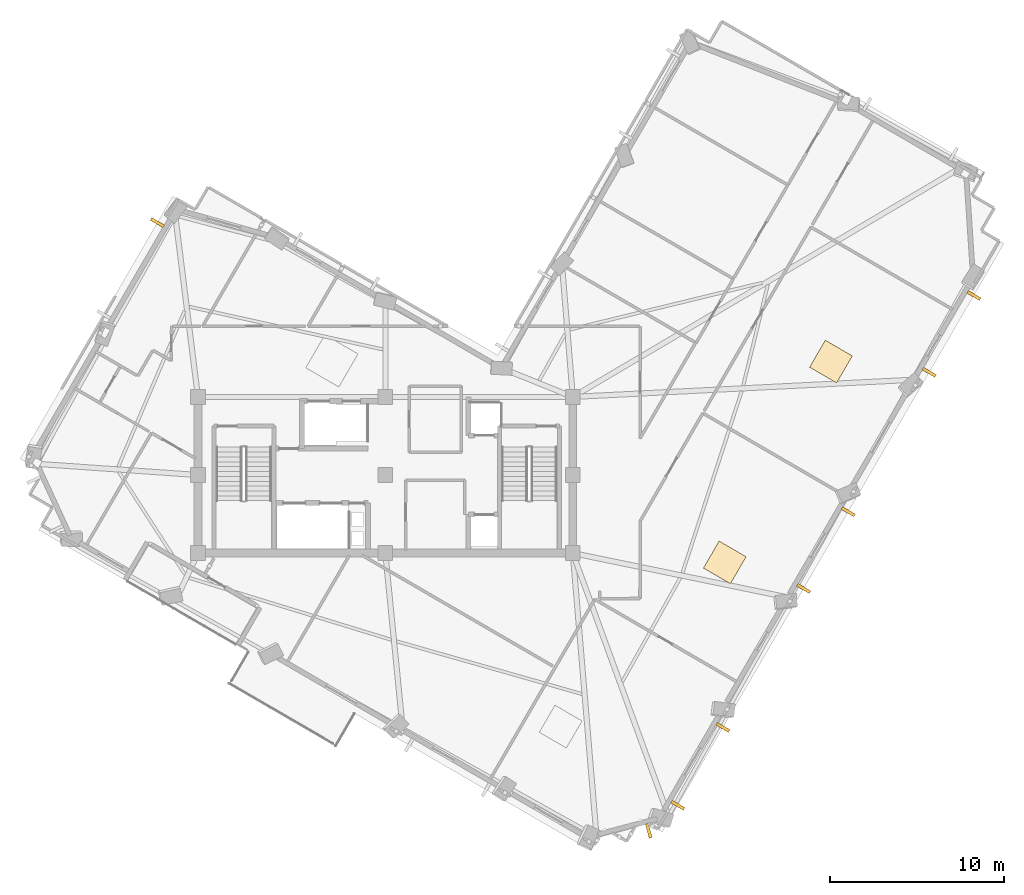
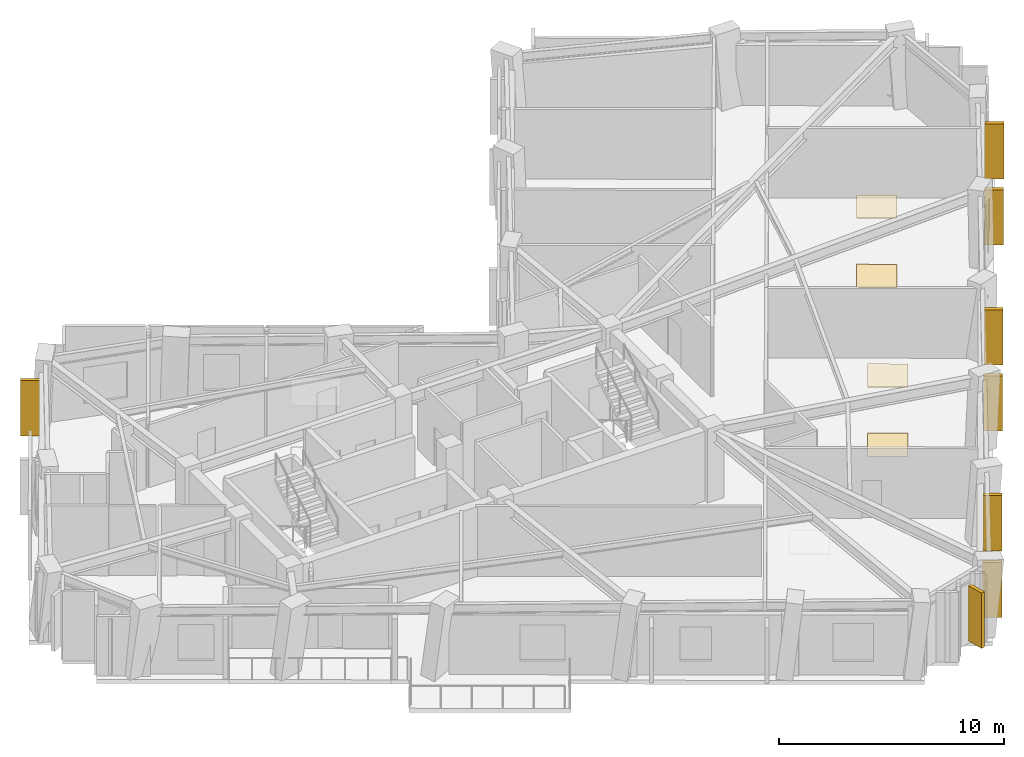
# One storey, part 11 of 12: 8 shading devices, 4 coverings.
"""IFC4 building model written with IfcOpenShell, lengths in metres."""

from ifc_helpers import new_model, si_unit, direction, frame, origin, origin_2d, place, context, subcontext, project, spatial, rectangle, extrude, material, layer, layer_set, type_object, element, save


model = new_model("IFC4")

# Units and contexts
model_context = context("Model", 3, precision=1e-05, world=origin(), true_north=direction((0.0, 1.0)))
body_context = subcontext(model_context, "Body", "Model", "MODEL_VIEW")
ifc_project = project(units=[si_unit("LENGTHUNIT", "METRE"), si_unit("AREAUNIT", "SQUARE_METRE"), si_unit("VOLUMEUNIT", "CUBIC_METRE"), si_unit("PLANEANGLEUNIT", "RADIAN"), si_unit("MASSUNIT", "GRAM", prefix="KILO")], contexts=[model_context])

# Site, building, storey
site_placement = place(None, origin())
site = spatial("IfcSite", under=ifc_project, at=site_placement, CompositionType="ELEMENT")
building_placement = place(site_placement, origin())
building = spatial("IfcBuilding", under=site, at=building_placement, Name="Gaonmaruhae Medical Tower", CompositionType="ELEMENT")
storey_placement = place(building_placement, frame((0.0, 0.0, 280.60009765625)))
storey = spatial("IfcBuildingStorey", under=building, at=storey_placement, Name="L67", CompositionType="ELEMENT", Elevation=280.60009765625)

# Coverings
ifc_material_1 = material(Name="Acoustic mineral ceiling tile", Category="finish")
ifc_layer_1 = layer(ifc_material_1, 0.02490234375)
ifc_layer_set_1 = layer_set([ifc_layer_1], Name="Acoustic mineral ceiling tile")
covering_type_1 = type_object("IfcCoveringType", Name="CLG-01 Antimicrobial Acoustic Mineral Ceiling", PredefinedType="CEILING", material=ifc_layer_set_1)
for number, where, z_axis, x_axis, name in (
    (1, (44.3583984375, 7.262939453125, 3.7548828125), (0.0, 0.0, 1.0), (0.502265533143, 0.86471344052, 0.0), "L67 Clinical Room Acoustic Ceiling 3"),
    (2, (50.477783203125, 18.8359375, 3.7548828125), (0.0, 0.0, 1.0), (0.502265533143, 0.86471344052, 0.0), "L67 Clinical Room Acoustic Ceiling 4"),
):
    element("IfcCovering", number, at=place(storey_placement, frame(where, z_axis=z_axis, x_axis=x_axis)), inside=storey, type_object=covering_type_1, Name=name, PredefinedType="CEILING", context=body_context, shape_type="SweptSolid", body=[
        extrude(rectangle(XDim=1.800048828125, YDim=1.800048828125, at=origin_2d()), origin(), (0.0, 0.0, 1.0), 0.02490234375),
    ])
ifc_material_2 = material(Name="Seamless clinical vinyl flooring", Category="finish")
ifc_layer_2 = layer(ifc_material_2, 0.014892578125)
ifc_layer_set_2 = layer_set([ifc_layer_2], Name="Seamless clinical vinyl flooring")
covering_type_2 = type_object("IfcCoveringType", Name="FLR-01 Seamless Clinical Antistatic Vinyl Flooring", PredefinedType="FLOORING", material=ifc_layer_set_2)
for number, where, z_axis, x_axis, name in (
    (3, (44.3583984375, 7.262939453125, 0.0), (0.0, 0.0, 1.0), (0.502265533143, 0.86471344052, 0.0), "L67 Clinical Room Vinyl Flooring 3"),
    (4, (50.477783203125, 18.8359375, 0.0), (0.0, 0.0, 1.0), (0.502265533143, 0.86471344052, 0.0), "L67 Clinical Room Vinyl Flooring 4"),
):
    element("IfcCovering", number, at=place(storey_placement, frame(where, z_axis=z_axis, x_axis=x_axis)), inside=storey, type_object=covering_type_2, Name=name, PredefinedType="FLOORING", context=body_context, shape_type="SweptSolid", body=[
        extrude(rectangle(XDim=1.800048828125, YDim=1.800048828125, at=origin_2d()), origin(), (0.0, 0.0, 1.0), 0.014892578125),
    ])

# Shading devices
ifc_material_3 = material(Name="Pigmented coral precast concrete C45/55", Category="concrete")
shading_device_type = type_object("IfcShadingDeviceType", Name="SD-FIN1 Tower Vertical Coral Precast Shading Fin", PredefinedType="USERDEFINED", material=ifc_material_3)
for number, where, z_axis, x_axis, name in (
    (5, (44.252197265625, -2.2451171875, 0.13232421875), (0.0, 0.0, 1.0), (-0.502280625163, -0.864704674201, 0.0), "L67 Vertical Coral Precast Shading Fin S01"),
    (6, (41.648193359375, -6.728515625, 0.13232421875), (0.0, 0.0, 1.0), (-0.502280625163, -0.864704674201, 0.0), "L67 Vertical Coral Precast Shading Fin S01B"),
    (7, (51.4716796875, 10.18408203125, 0.13232421875), (0.0, 0.0, 1.0), (-0.502265533143, -0.86471344052, 0.0), "L67 Vertical Coral Precast Shading Fin S03"),
    (8, (48.9033203125, 5.76220703125, 0.13232421875), (0.0, 0.0, 1.0), (-0.502265533143, -0.86471344052, 0.0), "L67 Vertical Coral Precast Shading Fin S03B"),
    (9, (58.709716796875, 22.64501953125, 0.13232421875), (0.0, 0.0, 1.0), (-0.502265533143, -0.86471344052, 0.0), "L67 Vertical Coral Precast Shading Fin S05"),
    (10, (56.138916015625, 18.218994140625, 0.13232421875), (0.0, 0.0, 1.0), (-0.502265533143, -0.86471344052, 0.0), "L67 Vertical Coral Precast Shading Fin S05B"),
    (11, (11.6630859375, 26.84228515625, 0.13232421875), (0.0, 0.0, 1.0), (0.502265533143, 0.86471344052, 0.0), "L67 Vertical Coral Precast Shading Fin N01B"),
    (12, (39.976318359375, -8.19970703125, 0.13232421875), (0.0, 0.0, 1.0), (-0.966604574963, -0.25627250274, 0.0), "L67 Vertical Coral Precast Shading Fin W06"),
):
    element("IfcShadingDevice", number, at=place(storey_placement, frame(where, z_axis=z_axis, x_axis=x_axis)), inside=storey, type_object=shading_device_type, Name=name, ObjectType="FIN", PredefinedType="USERDEFINED", context=body_context, shape_type="SweptSolid", body=[
        extrude(rectangle(XDim=0.179931640625, YDim=0.85009765625, at=origin_2d()), origin(), (0.0, 0.0, 1.0), 3.0),
    ])

save(model, "model.ifc")
